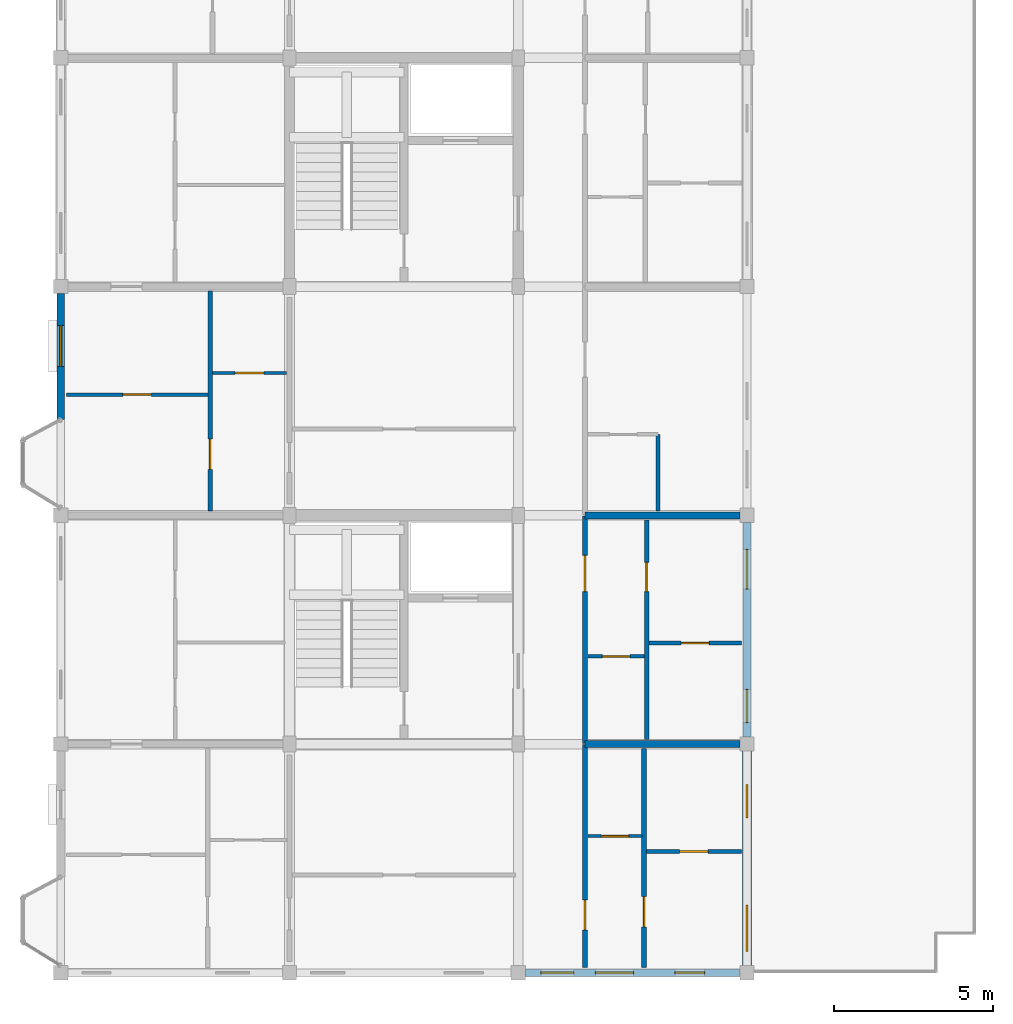
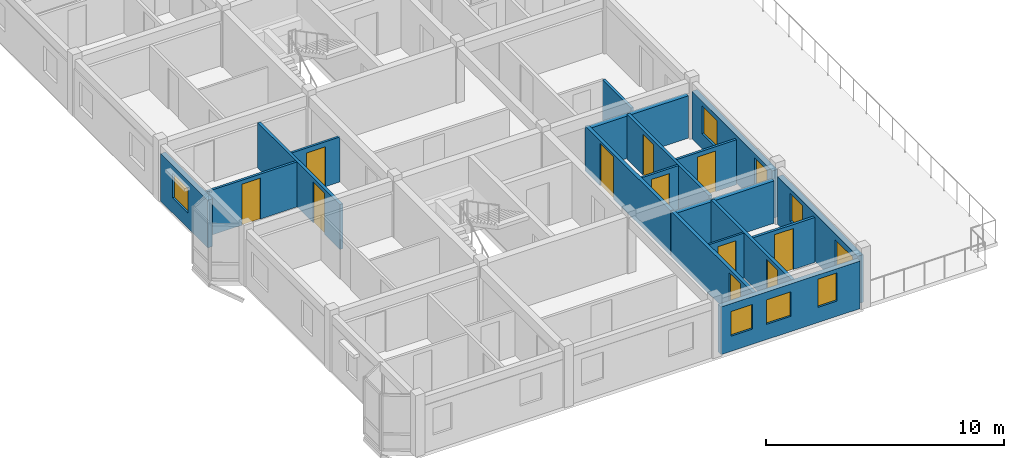
# One storey, part 27 of 40: 18 walls, 11 doors, 8 windows, 19 openings.
"""IFC4 building model written with IfcOpenShell, lengths in metres."""

from ifc_helpers import new_model, si_unit, direction, frame, frame_2d, origin, place, context, subcontext, project, spatial, rectangle, extrude, material, layer, layer_set, type_object, element, fill, save


model = new_model("IFC4")

# Units and contexts
model_context = context("Model", 3, precision=1e-05, world=origin(), true_north=direction((0.0, 1.0)))
body_context = subcontext(model_context, "Body", "Model", "MODEL_VIEW")
ifc_project = project(units=[si_unit("LENGTHUNIT", "METRE"), si_unit("AREAUNIT", "SQUARE_METRE"), si_unit("VOLUMEUNIT", "CUBIC_METRE"), si_unit("PLANEANGLEUNIT", "RADIAN"), si_unit("MASSUNIT", "GRAM", prefix="KILO"), si_unit("THERMODYNAMICTEMPERATUREUNIT", "KELVIN"), si_unit("POWERUNIT", "WATT")], contexts=[model_context])

# Site, building, storey
site_placement = place(None, origin())
site = spatial("IfcSite", under=ifc_project, at=site_placement, CompositionType="ELEMENT")
building_placement = place(site_placement, origin())
building = spatial("IfcBuilding", under=site, at=building_placement, Name="Tavuni Mirador Residences", CompositionType="ELEMENT")
storey_placement = place(building_placement, frame((0.0, 0.0, 36.0)))
storey = spatial("IfcBuildingStorey", under=building, at=storey_placement, Name="L11", CompositionType="ELEMENT", Elevation=36.0)

# Wall, opening, door
ifc_material_1 = material(Name="Precast concrete C40/50", Category="concrete")
ifc_layer_1 = layer(ifc_material_1, 0.1650390625, Name="Precast concrete C40/50", Category="concrete")
ifc_layer_set_1 = layer_set([ifc_layer_1], Name="Precast concrete C40/50")
wall_type_1 = type_object("IfcWallType", Name="WT-CORR165", PredefinedType="PARTITIONING", material=ifc_layer_set_1)
wall_1_placement = place(storey_placement, frame((20.10009765625, 7.375, 0.0), z_axis=(0.0, 0.0, 1.0), x_axis=(0.0, 1.0, 0.0)))
wall_1 = element("IfcWall", 1, at=wall_1_placement, inside=storey, type_object=wall_type_1, Name="CORW-BLK-A-L11-0-00", PredefinedType="PARTITIONING", context=body_context, shape_type="SweptSolid", body=[
    extrude(rectangle(XDim=7.0048828125, YDim=0.1650390625, at=frame_2d((3.50244140625, 0.0))), origin(), (0.0, 0.0, 1.0), 2.304931640625),
])
opening_1_placement = place(wall_1_placement, frame((1.175048828125, 0.0, 0.0)))
opening_1 = element("IfcOpeningElement", 2, at=opening_1_placement, cuts=wall_1, Name="Opening D-19", PredefinedType="OPENING", context=body_context, shape_type="SweptSolid", body=[
    extrude(rectangle(XDim=0.93994140625, YDim=2.1201171875, at=frame_2d((0.469970703125, 1.06005859375))), frame((0.0, 0.092529296875, 0.0), z_axis=(0.0, -1.0, 0.0), x_axis=(1.0, 0.0, 0.0)), (0.0, 0.0, 1.0), 0.18505859375),
])
ifc_material_2 = material(Name="Solid core iroko timber", Category="wood")
door_type_1 = type_object("IfcDoorType", Name="DT-FD60-940", OperationType="NOTDEFINED", PredefinedType="DOOR", material=ifc_material_2)
door_1_placement = place(opening_1_placement, origin())
door_1 = element("IfcDoor", 3, at=door_1_placement, inside=storey, type_object=door_type_1, Name="DR-2485", OperationType="SINGLE_SWING_RIGHT", OverallHeight=2.1201171875, OverallWidth=0.93994140625, PredefinedType="DOOR", context=body_context, shape_type="SweptSolid", body=[
    extrude(rectangle(XDim=0.93994140625, YDim=2.1201171875, at=frame_2d((0.469970703125, 1.06005859375))), frame((0.0, 0.02490234375, 0.0), z_axis=(0.0, -1.0, 0.0), x_axis=(1.0, 0.0, 0.0)), (0.0, 0.0, 1.0), 0.050048828125),
])
fill(opening_1, door_1)

wall_2_placement = place(storey_placement, frame((20.10009765625, 14.419921875, 0.0), z_axis=(0.0, 0.0, 1.0), x_axis=(0.0, 1.0, 0.0)))
wall_2 = element("IfcWall", 4, at=wall_2_placement, inside=storey, type_object=wall_type_1, Name="CORW-BLK-A-L11-0-01", PredefinedType="PARTITIONING", context=body_context, shape_type="SweptSolid", body=[
    extrude(rectangle(XDim=7.16015625, YDim=0.1650390625, at=frame_2d((3.580078125, 0.0))), origin(), (0.0, 0.0, 1.0), 2.304931640625),
])
opening_2_placement = place(wall_2_placement, frame((4.780029296875, 0.0, 0.0)))
opening_2 = element("IfcOpeningElement", 5, at=opening_2_placement, cuts=wall_2, Name="Opening D-20", PredefinedType="OPENING", context=body_context, shape_type="SweptSolid", body=[
    extrude(rectangle(XDim=1.139892578125, YDim=2.179931640625, at=frame_2d((0.56982421875, 1.08984375))), frame((0.0, 0.092529296875, 0.0), z_axis=(0.0, -1.0, 0.0), x_axis=(1.0, 0.0, 0.0)), (0.0, 0.0, 1.0), 0.18505859375),
])
door_type_2 = type_object("IfcDoorType", Name="DT-FD60-1140", OperationType="NOTDEFINED", PredefinedType="DOOR", material=ifc_material_2)
door_2_placement = place(opening_2_placement, origin())
door_2 = element("IfcDoor", 6, at=door_2_placement, inside=storey, type_object=door_type_2, Name="DR-2486", OperationType="SINGLE_SWING_LEFT", OverallHeight=2.179931640625, OverallWidth=1.139892578125, PredefinedType="DOOR", context=body_context, shape_type="SweptSolid", body=[
    extrude(rectangle(XDim=1.139892578125, YDim=2.179931640625, at=frame_2d((0.56982421875, 1.08984375))), frame((0.0, 0.02490234375, 0.0), z_axis=(0.0, -1.0, 0.0), x_axis=(1.0, 0.0, 0.0)), (0.0, 0.0, 1.0), 0.050048828125),
])
fill(opening_2, door_2)

# Wall, openings, windows
ifc_material_3 = material(Name="Sgraffito lime-rendered precast concrete C40/50", Category="concrete")
ifc_layer_2 = layer(ifc_material_3, 0.2451171875, Name="Sgraffito lime-rendered precast concrete C40/50", Category="concrete")
ifc_layer_set_2 = layer_set([ifc_layer_2], Name="Sgraffito lime-rendered precast concrete C40/50")
wall_type_2 = type_object("IfcWallType", Name="WT-EXT-PC245", PredefinedType="SOLIDWALL", material=ifc_layer_set_2)
wall_3_placement = place(storey_placement, frame((18.22509765625, 7.199951171875, 0.0), z_axis=(0.0, 0.0, 1.0), x_axis=(1.0, 0.0, 0.0)))
wall_3 = element("IfcWall", 7, at=wall_3_placement, inside=storey, type_object=wall_type_2, Name="EW-BLK-A-L11-S02", PredefinedType="SOLIDWALL", context=body_context, shape_type="SweptSolid", body=[
    extrude(rectangle(XDim=6.75, YDim=0.2451171875, at=frame_2d((3.375, 0.0))), origin(), (0.0, 0.0, 1.0), 2.43994140625),
])
opening_3_placement = place(wall_3_placement, frame((0.487548828125, 0.0, 0.780029296875)))
opening_3 = element("IfcOpeningElement", 8, at=opening_3_placement, cuts=wall_3, Name="Opening WN-11", PredefinedType="OPENING", context=body_context, shape_type="SweptSolid", body=[
    extrude(rectangle(XDim=1.0400390625, YDim=1.260009765625, at=frame_2d((0.52001953125, 0.6298828125))), frame((0.0, 0.132568359375, 0.0), z_axis=(0.0, -1.0, 0.0), x_axis=(1.0, 0.0, 0.0)), (0.0, 0.0, 1.0), 0.26513671875),
])
opening_4_placement = place(wall_3_placement, frame((2.205078125, 0.0, 0.780029296875)))
opening_4 = element("IfcOpeningElement", 9, at=opening_4_placement, cuts=wall_3, Name="Opening WN-13", PredefinedType="OPENING", context=body_context, shape_type="SweptSolid", body=[
    extrude(rectangle(XDim=1.199951171875, YDim=1.260009765625, at=frame_2d((0.60009765625, 0.6298828125))), frame((0.0, 0.132568359375, 0.0), z_axis=(0.0, -1.0, 0.0), x_axis=(1.0, 0.0, 0.0)), (0.0, 0.0, 1.0), 0.26513671875),
])
opening_5_placement = place(wall_3_placement, frame((4.702392578125, 0.0, 0.780029296875)))
opening_5 = element("IfcOpeningElement", 10, at=opening_5_placement, cuts=wall_3, Name="Opening WN-25", PredefinedType="OPENING", context=body_context, shape_type="SweptSolid", body=[
    extrude(rectangle(XDim=0.93994140625, YDim=1.43994140625, at=frame_2d((0.469970703125, 0.719970703125))), frame((0.0, 0.132568359375, 0.0), z_axis=(0.0, -1.0, 0.0), x_axis=(1.0, 0.0, 0.0)), (0.0, 0.0, 1.0), 0.26513671875),
])
ifc_material_4 = material(Name="Laminated solar-control glass", Category="glass")
window_type_1 = type_object("IfcWindowType", Name="WNT-11", PartitioningType="SINGLE_PANEL", PredefinedType="WINDOW", material=ifc_material_4)
window_1_placement = place(opening_3_placement, origin())
window_1 = element("IfcWindow", 11, at=window_1_placement, inside=storey, type_object=window_type_1, Name="WIN-0399", OverallHeight=1.260009765625, OverallWidth=1.0400390625, PartitioningType="SINGLE_PANEL", PredefinedType="WINDOW", context=body_context, shape_type="SweptSolid", body=[
    extrude(rectangle(XDim=1.0400390625, YDim=1.260009765625, at=frame_2d((0.52001953125, 0.6298828125))), frame((0.0, 0.030029296875, 0.0), z_axis=(0.0, -1.0, 0.0), x_axis=(1.0, 0.0, 0.0)), (0.0, 0.0, 1.0), 0.06005859375),
])
fill(opening_3, window_1)
window_type_2 = type_object("IfcWindowType", Name="WNT-13", PartitioningType="SINGLE_PANEL", PredefinedType="WINDOW", material=ifc_material_4)
window_2_placement = place(opening_4_placement, origin())
window_2 = element("IfcWindow", 12, at=window_2_placement, inside=storey, type_object=window_type_2, Name="WIN-0400", OverallHeight=1.260009765625, OverallWidth=1.199951171875, PartitioningType="SINGLE_PANEL", PredefinedType="WINDOW", context=body_context, shape_type="SweptSolid", body=[
    extrude(rectangle(XDim=1.199951171875, YDim=1.260009765625, at=frame_2d((0.60009765625, 0.6298828125))), frame((0.0, 0.030029296875, 0.0), z_axis=(0.0, -1.0, 0.0), x_axis=(1.0, 0.0, 0.0)), (0.0, 0.0, 1.0), 0.06005859375),
])
fill(opening_4, window_2)
window_type_3 = type_object("IfcWindowType", Name="WNT-25", PartitioningType="SINGLE_PANEL", PredefinedType="WINDOW", material=ifc_material_4)
window_3_placement = place(opening_5_placement, origin())
window_3 = element("IfcWindow", 13, at=window_3_placement, inside=storey, type_object=window_type_3, Name="WIN-0401", OverallHeight=1.43994140625, OverallWidth=0.93994140625, PartitioningType="SINGLE_PANEL", PredefinedType="WINDOW", context=body_context, shape_type="SweptSolid", body=[
    extrude(rectangle(XDim=0.93994140625, YDim=1.43994140625, at=frame_2d((0.469970703125, 0.719970703125))), frame((0.0, 0.030029296875, 0.0), z_axis=(0.0, -1.0, 0.0), x_axis=(1.0, 0.0, 0.0)), (0.0, 0.0, 1.0), 0.06005859375),
])
fill(opening_5, window_3)

# Wall, opening, window
wall_4_placement = place(storey_placement, frame((3.60009765625, 28.574951171875, 0.0), z_axis=(0.0, 0.0, 1.0), x_axis=(0.0, -1.0, 0.0)))
wall_4 = element("IfcWall", 14, at=wall_4_placement, inside=storey, type_object=wall_type_2, Name="EW-BLK-A-L11-W02", PredefinedType="SOLIDWALL", context=body_context, shape_type="SweptSolid", body=[
    extrude(rectangle(XDim=3.954833984375, YDim=0.2451171875, at=frame_2d((1.9775390625, 0.0))), origin(), (0.0, 0.0, 1.0), 2.43994140625),
])
opening_6_placement = place(wall_4_placement, frame((1.00244140625, 0.0, 0.780029296875)))
opening_6 = element("IfcOpeningElement", 15, at=opening_6_placement, cuts=wall_4, Name="Opening WN-14", PredefinedType="OPENING", context=body_context, shape_type="SweptSolid", body=[
    extrude(rectangle(XDim=1.280029296875, YDim=1.260009765625, at=frame_2d((0.64013671875, 0.6298828125))), frame((0.0, 0.132568359375, 0.0), z_axis=(0.0, -1.0, 0.0), x_axis=(1.0, 0.0, 0.0)), (0.0, 0.0, 1.0), 0.26513671875),
])
window_type_4 = type_object("IfcWindowType", Name="WNT-14", PartitioningType="SINGLE_PANEL", PredefinedType="WINDOW", material=ifc_material_4)
window_4_placement = place(opening_6_placement, origin())
window_4 = element("IfcWindow", 16, at=window_4_placement, inside=storey, type_object=window_type_4, Name="WIN-0422", OverallHeight=1.260009765625, OverallWidth=1.280029296875, PartitioningType="SINGLE_PANEL", PredefinedType="WINDOW", context=body_context, shape_type="SweptSolid", body=[
    extrude(rectangle(XDim=1.280029296875, YDim=1.260009765625, at=frame_2d((0.64013671875, 0.6298828125))), frame((0.0, 0.030029296875, 0.0), z_axis=(0.0, -1.0, 0.0), x_axis=(1.0, 0.0, 0.0)), (0.0, 0.0, 1.0), 0.06005859375),
])
fill(opening_6, window_4)

# Wall, openings, windows
ifc_layer_3 = layer(ifc_material_3, 0.2548828125, Name="Sgraffito lime-rendered precast concrete C40/50", Category="concrete")
ifc_layer_set_3 = layer_set([ifc_layer_3], Name="Sgraffito lime-rendered precast concrete C40/50")
wall_type_3 = type_object("IfcWallType", Name="WT-EXT-PC255", PredefinedType="SOLIDWALL", material=ifc_layer_set_3)
wall_5_placement = place(storey_placement, frame((25.199951171875, 14.625, 0.0), z_axis=(0.0, 0.0, 1.0), x_axis=(0.0, 1.0, 0.0)))
wall_5 = element("IfcWall", 17, at=wall_5_placement, inside=storey, type_object=wall_type_3, Name="EW-BLK-A-L11-E01", PredefinedType="SOLIDWALL", context=body_context, shape_type="SweptSolid", body=[
    extrude(rectangle(XDim=6.75, YDim=0.2548828125, at=frame_2d((3.375, 0.0))), origin(), (0.0, 0.0, 1.0), 2.43994140625),
])
opening_7_placement = place(wall_5_placement, frame((0.449951171875, 0.0, 0.780029296875)))
opening_7 = element("IfcOpeningElement", 18, at=opening_7_placement, cuts=wall_5, Name="Opening WN-26", PredefinedType="OPENING", context=body_context, shape_type="SweptSolid", body=[
    extrude(rectangle(XDim=1.050048828125, YDim=1.43994140625, at=frame_2d((0.52490234375, 0.719970703125))), frame((0.0, 0.137451171875, 0.0), z_axis=(0.0, -1.0, 0.0), x_axis=(1.0, 0.0, 0.0)), (0.0, 0.0, 1.0), 0.27490234375),
])
opening_8_placement = place(wall_5_placement, frame((4.64990234375, 0.0, 0.780029296875)))
opening_8 = element("IfcOpeningElement", 19, at=opening_8_placement, cuts=wall_5, Name="Opening WN-28", PredefinedType="OPENING", context=body_context, shape_type="SweptSolid", body=[
    extrude(rectangle(XDim=1.25, YDim=1.43994140625, at=frame_2d((0.625, 0.719970703125))), frame((0.0, 0.137451171875, 0.0), z_axis=(0.0, -1.0, 0.0), x_axis=(1.0, 0.0, 0.0)), (0.0, 0.0, 1.0), 0.27490234375),
])
window_type_5 = type_object("IfcWindowType", Name="WNT-26", PartitioningType="SINGLE_PANEL", PredefinedType="WINDOW", material=ifc_material_4)
window_5_placement = place(opening_7_placement, origin())
window_5 = element("IfcWindow", 20, at=window_5_placement, inside=storey, type_object=window_type_5, Name="WIN-0404", OverallHeight=1.43994140625, OverallWidth=1.050048828125, PartitioningType="SINGLE_PANEL", PredefinedType="WINDOW", context=body_context, shape_type="SweptSolid", body=[
    extrude(rectangle(XDim=1.050048828125, YDim=1.43994140625, at=frame_2d((0.52490234375, 0.719970703125))), frame((0.0, 0.030029296875, 0.0), z_axis=(0.0, -1.0, 0.0), x_axis=(1.0, 0.0, 0.0)), (0.0, 0.0, 1.0), 0.06005859375),
])
fill(opening_7, window_5)
window_type_6 = type_object("IfcWindowType", Name="WNT-28", PartitioningType="SINGLE_PANEL", PredefinedType="WINDOW", material=ifc_material_4)
window_6_placement = place(opening_8_placement, origin())
window_6 = element("IfcWindow", 21, at=window_6_placement, inside=storey, type_object=window_type_6, Name="WIN-0405", OverallHeight=1.43994140625, OverallWidth=1.25, PartitioningType="SINGLE_PANEL", PredefinedType="WINDOW", context=body_context, shape_type="SweptSolid", body=[
    extrude(rectangle(XDim=1.25, YDim=1.43994140625, at=frame_2d((0.625, 0.719970703125))), frame((0.0, 0.030029296875, 0.0), z_axis=(0.0, -1.0, 0.0), x_axis=(1.0, 0.0, 0.0)), (0.0, 0.0, 1.0), 0.06005859375),
])
fill(opening_8, window_6)

ifc_layer_4 = layer(ifc_material_3, 0.27490234375, Name="Sgraffito lime-rendered precast concrete C40/50", Category="concrete")
ifc_layer_set_4 = layer_set([ifc_layer_4], Name="Sgraffito lime-rendered precast concrete C40/50")
wall_type_4 = type_object("IfcWallType", Name="WT-EXT-PC275", PredefinedType="SOLIDWALL", material=ifc_layer_set_4)
wall_6_placement = place(storey_placement, frame((25.199951171875, 7.425048828125, 0.0), z_axis=(0.0, 0.0, 1.0), x_axis=(0.0, 1.0, 0.0)))
wall_6 = element("IfcWall", 22, at=wall_6_placement, inside=storey, type_object=wall_type_4, Name="EW-BLK-A-L11-E00", PredefinedType="SOLIDWALL", context=body_context, shape_type="SweptSolid", body=[
    extrude(rectangle(XDim=6.75, YDim=0.27490234375, at=frame_2d((3.375, 0.0))), origin(), (0.0, 0.0, 1.0), 2.43994140625),
])
opening_9_placement = place(wall_6_placement, frame((0.449951171875, 0.0, 0.780029296875)))
opening_9 = element("IfcOpeningElement", 23, at=opening_9_placement, cuts=wall_6, Name="Opening WN-24", PredefinedType="OPENING", context=body_context, shape_type="SweptSolid", body=[
    extrude(rectangle(XDim=1.4599609375, YDim=1.360107421875, at=frame_2d((0.72998046875, 0.68017578125))), frame((0.0, 0.1474609375, 0.0), z_axis=(0.0, -1.0, 0.0), x_axis=(1.0, 0.0, 0.0)), (0.0, 0.0, 1.0), 0.294921875),
])
opening_10_placement = place(wall_6_placement, frame((4.64990234375, 0.0, 0.780029296875)))
opening_10 = element("IfcOpeningElement", 24, at=opening_10_placement, cuts=wall_6, Name="Opening WN-26", PredefinedType="OPENING", context=body_context, shape_type="SweptSolid", body=[
    extrude(rectangle(XDim=1.050048828125, YDim=1.43994140625, at=frame_2d((0.52490234375, 0.719970703125))), frame((0.0, 0.1474609375, 0.0), z_axis=(0.0, -1.0, 0.0), x_axis=(1.0, 0.0, 0.0)), (0.0, 0.0, 1.0), 0.294921875),
])
window_type_7 = type_object("IfcWindowType", Name="WNT-24", PartitioningType="SINGLE_PANEL", PredefinedType="WINDOW", material=ifc_material_4)
window_7_placement = place(opening_9_placement, origin())
window_7 = element("IfcWindow", 25, at=window_7_placement, inside=storey, type_object=window_type_7, Name="WIN-0402", OverallHeight=1.360107421875, OverallWidth=1.4599609375, PartitioningType="SINGLE_PANEL", PredefinedType="WINDOW", context=body_context, shape_type="SweptSolid", body=[
    extrude(rectangle(XDim=1.4599609375, YDim=1.360107421875, at=frame_2d((0.72998046875, 0.68017578125))), frame((0.0, 0.030029296875, 0.0), z_axis=(0.0, -1.0, 0.0), x_axis=(1.0, 0.0, 0.0)), (0.0, 0.0, 1.0), 0.06005859375),
])
fill(opening_9, window_7)
window_8_placement = place(opening_10_placement, origin())
window_8 = element("IfcWindow", 26, at=window_8_placement, inside=storey, type_object=window_type_5, Name="WIN-0403", OverallHeight=1.43994140625, OverallWidth=1.050048828125, PartitioningType="SINGLE_PANEL", PredefinedType="WINDOW", context=body_context, shape_type="SweptSolid", body=[
    extrude(rectangle(XDim=1.050048828125, YDim=1.43994140625, at=frame_2d((0.52490234375, 0.719970703125))), frame((0.0, 0.030029296875, 0.0), z_axis=(0.0, -1.0, 0.0), x_axis=(1.0, 0.0, 0.0)), (0.0, 0.0, 1.0), 0.06005859375),
])
fill(opening_10, window_8)

# Wall, opening, door
ifc_material_5 = material(Name="Acoustic gypsum and concrete block partition", Category="concrete")
ifc_layer_5 = layer(ifc_material_5, 0.094970703125, Name="Acoustic gypsum and concrete block partition", Category="concrete")
ifc_layer_set_5 = layer_set([ifc_layer_5], Name="Acoustic gypsum and concrete block partition")
wall_type_5 = type_object("IfcWallType", Name="WT-PART095", PredefinedType="PARTITIONING", material=ifc_layer_set_5)
wall_7_placement = place(storey_placement, frame((20.18994140625, 11.5, 0.0), z_axis=(0.0, 0.0, 1.0), x_axis=(1.0, 0.0, 0.0)))
wall_7 = element("IfcWall", 27, at=wall_7_placement, inside=storey, type_object=wall_type_5, Name="PW-BLK-A-L11-E00-IN1", PredefinedType="PARTITIONING", context=body_context, shape_type="SweptSolid", body=[
    extrude(rectangle(XDim=1.699951171875, YDim=0.094970703125, at=frame_2d((0.85009765625, 0.0))), origin(), (0.0, 0.0, 1.0), 2.304931640625),
])
opening_11_placement = place(wall_7_placement, frame((0.4150390625, 0.0, 0.0)))
opening_11 = element("IfcOpeningElement", 28, at=opening_11_placement, cuts=wall_7, Name="Opening D-10", PredefinedType="OPENING", context=body_context, shape_type="SweptSolid", body=[
    extrude(rectangle(XDim=0.8701171875, YDim=2.050048828125, at=frame_2d((0.43505859375, 1.02490234375))), frame((0.0, 0.0576171875, 0.0), z_axis=(0.0, -1.0, 0.0), x_axis=(1.0, 0.0, 0.0)), (0.0, 0.0, 1.0), 0.114990234375),
])
door_type_3 = type_object("IfcDoorType", Name="DT-WC870", OperationType="NOTDEFINED", PredefinedType="DOOR", material=ifc_material_2)
door_3_placement = place(opening_11_placement, origin())
door_3 = element("IfcDoor", 29, at=door_3_placement, inside=storey, type_object=door_type_3, Name="DR-3292", OperationType="SINGLE_SWING_RIGHT", OverallHeight=2.050048828125, OverallWidth=0.8701171875, PredefinedType="DOOR", context=body_context, shape_type="SweptSolid", body=[
    extrude(rectangle(XDim=0.8701171875, YDim=2.050048828125, at=frame_2d((0.43505859375, 1.02490234375))), frame((0.0, 0.02490234375, 0.0), z_axis=(0.0, -1.0, 0.0), x_axis=(1.0, 0.0, 0.0)), (0.0, 0.0, 1.0), 0.050048828125),
])
fill(opening_11, door_3)

ifc_layer_6 = layer(ifc_material_5, 0.10498046875, Name="Acoustic gypsum and concrete block partition", Category="concrete")
ifc_layer_set_6 = layer_set([ifc_layer_6], Name="Acoustic gypsum and concrete block partition")
wall_type_6 = type_object("IfcWallType", Name="WT-PART105", PredefinedType="PARTITIONING", material=ifc_layer_set_6)
wall_8_placement = place(storey_placement, frame((20.18994140625, 17.159912109375, 0.0), z_axis=(0.0, 0.0, 1.0), x_axis=(1.0, 0.0, 0.0)))
wall_8 = element("IfcWall", 30, at=wall_8_placement, inside=storey, type_object=wall_type_6, Name="PW-BLK-A-L11-E01-IN1", PredefinedType="PARTITIONING", context=body_context, shape_type="SweptSolid", body=[
    extrude(rectangle(XDim=1.780029296875, YDim=0.10498046875, at=frame_2d((0.89013671875, 0.0))), origin(), (0.0, 0.0, 1.0), 2.304931640625),
])
opening_12_placement = place(wall_8_placement, frame((0.455078125, 0.0, 0.0)))
opening_12 = element("IfcOpeningElement", 31, at=opening_12_placement, cuts=wall_8, Name="Opening D-10", PredefinedType="OPENING", context=body_context, shape_type="SweptSolid", body=[
    extrude(rectangle(XDim=0.8701171875, YDim=2.050048828125, at=frame_2d((0.43505859375, 1.02490234375))), frame((0.0, 0.0625, 0.0), z_axis=(0.0, -1.0, 0.0), x_axis=(1.0, 0.0, 0.0)), (0.0, 0.0, 1.0), 0.125),
])
door_4_placement = place(opening_12_placement, origin())
door_4 = element("IfcDoor", 32, at=door_4_placement, inside=storey, type_object=door_type_3, Name="DR-3297", OperationType="SINGLE_SWING_LEFT", OverallHeight=2.050048828125, OverallWidth=0.8701171875, PredefinedType="DOOR", context=body_context, shape_type="SweptSolid", body=[
    extrude(rectangle(XDim=0.8701171875, YDim=2.050048828125, at=frame_2d((0.43505859375, 1.02490234375))), frame((0.0, 0.02490234375, 0.0), z_axis=(0.0, -1.0, 0.0), x_axis=(1.0, 0.0, 0.0)), (0.0, 0.0, 1.0), 0.050048828125),
])
fill(opening_12, door_4)

wall_9_placement = place(storey_placement, frame((8.3701171875, 26.080078125, 0.0), z_axis=(0.0, 0.0, 1.0), x_axis=(1.0, 0.0, 0.0)))
wall_9 = element("IfcWall", 33, at=wall_9_placement, inside=storey, type_object=wall_type_6, Name="PW-BLK-A-L11-W02-IN1", PredefinedType="PARTITIONING", context=body_context, shape_type="SweptSolid", body=[
    extrude(rectangle(XDim=2.33984375, YDim=0.10498046875, at=frame_2d((1.169921875, 0.0))), origin(), (0.0, 0.0, 1.0), 2.304931640625),
])
opening_13_placement = place(wall_9_placement, frame((0.719970703125, 0.0, 0.0)))
opening_13 = element("IfcOpeningElement", 34, at=opening_13_placement, cuts=wall_9, Name="Opening D-09", PredefinedType="OPENING", context=body_context, shape_type="SweptSolid", body=[
    extrude(rectangle(XDim=0.89990234375, YDim=2.050048828125, at=frame_2d((0.449951171875, 1.02490234375))), frame((0.0, 0.0625, 0.0), z_axis=(0.0, -1.0, 0.0), x_axis=(1.0, 0.0, 0.0)), (0.0, 0.0, 1.0), 0.125),
])
door_type_4 = type_object("IfcDoorType", Name="DT-WC900", OperationType="NOTDEFINED", PredefinedType="DOOR", material=ifc_material_2)
door_5_placement = place(opening_13_placement, origin())
door_5 = element("IfcDoor", 35, at=door_5_placement, inside=storey, type_object=door_type_4, Name="DR-3301", OperationType="SINGLE_SWING_RIGHT", OverallHeight=2.050048828125, OverallWidth=0.89990234375, PredefinedType="DOOR", context=body_context, shape_type="SweptSolid", body=[
    extrude(rectangle(XDim=0.89990234375, YDim=2.050048828125, at=frame_2d((0.449951171875, 1.02490234375))), frame((0.0, 0.02490234375, 0.0), z_axis=(0.0, -1.0, 0.0), x_axis=(1.0, 0.0, 0.0)), (0.0, 0.0, 1.0), 0.050048828125),
])
fill(opening_13, door_5)

ifc_layer_7 = layer(ifc_material_5, 0.114990234375, Name="Acoustic gypsum and concrete block partition", Category="concrete")
ifc_layer_set_7 = layer_set([ifc_layer_7], Name="Acoustic gypsum and concrete block partition")
wall_type_7 = type_object("IfcWallType", Name="WT-PART115", PredefinedType="PARTITIONING", material=ifc_layer_set_7)
wall_10_placement = place(storey_placement, frame((22.110107421875, 17.580078125, 0.0), z_axis=(0.0, 0.0, 1.0), x_axis=(1.0, 0.0, 0.0)))
wall_10 = element("IfcWall", 36, at=wall_10_placement, inside=storey, type_object=wall_type_7, Name="PW-BLK-A-L11-E01-OUT", PredefinedType="PARTITIONING", context=body_context, shape_type="SweptSolid", body=[
    extrude(rectangle(XDim=2.914794921875, YDim=0.114990234375, at=frame_2d((1.45751953125, 0.0))), origin(), (0.0, 0.0, 1.0), 2.304931640625),
])
opening_14_placement = place(wall_10_placement, frame((1.017578125, 0.0, 0.0)))
opening_14 = element("IfcOpeningElement", 37, at=opening_14_placement, cuts=wall_10, Name="Opening D-08", PredefinedType="OPENING", context=body_context, shape_type="SweptSolid", body=[
    extrude(rectangle(XDim=0.8798828125, YDim=2.080078125, at=frame_2d((0.43994140625, 1.0400390625))), frame((0.0, 0.0673828125, 0.0), z_axis=(0.0, -1.0, 0.0), x_axis=(1.0, 0.0, 0.0)), (0.0, 0.0, 1.0), 0.135009765625),
])
door_type_5 = type_object("IfcDoorType", Name="DT-BED880", OperationType="NOTDEFINED", PredefinedType="DOOR", material=ifc_material_2)
door_6_placement = place(opening_14_placement, origin())
door_6 = element("IfcDoor", 38, at=door_6_placement, inside=storey, type_object=door_type_5, Name="DR-3296", OperationType="SINGLE_SWING_RIGHT", OverallHeight=2.080078125, OverallWidth=0.8798828125, PredefinedType="DOOR", context=body_context, shape_type="SweptSolid", body=[
    extrude(rectangle(XDim=0.8798828125, YDim=2.080078125, at=frame_2d((0.43994140625, 1.0400390625))), frame((0.0, 0.02490234375, 0.0), z_axis=(0.0, -1.0, 0.0), x_axis=(1.0, 0.0, 0.0)), (0.0, 0.0, 1.0), 0.050048828125),
])
fill(opening_14, door_6)

wall_11_placement = place(storey_placement, frame((3.77490234375, 25.39990234375, 0.0), z_axis=(0.0, 0.0, 1.0), x_axis=(1.0, 0.0, 0.0)))
wall_11 = element("IfcWall", 39, at=wall_11_placement, inside=storey, type_object=wall_type_7, Name="PW-BLK-A-L11-W02-OUT", PredefinedType="PARTITIONING", context=body_context, shape_type="SweptSolid", body=[
    extrude(rectangle(XDim=4.455078125, YDim=0.114990234375, at=frame_2d((2.2275390625, 0.0))), origin(), (0.0, 0.0, 1.0), 2.304931640625),
])
opening_15_placement = place(wall_11_placement, frame((1.777587890625, 0.0, 0.0)))
opening_15 = element("IfcOpeningElement", 40, at=opening_15_placement, cuts=wall_11, Name="Opening D-07", PredefinedType="OPENING", context=body_context, shape_type="SweptSolid", body=[
    extrude(rectangle(XDim=0.89990234375, YDim=2.10009765625, at=frame_2d((0.449951171875, 1.050048828125))), frame((0.0, 0.0673828125, 0.0), z_axis=(0.0, -1.0, 0.0), x_axis=(1.0, 0.0, 0.0)), (0.0, 0.0, 1.0), 0.135009765625),
])
door_type_6 = type_object("IfcDoorType", Name="DT-BED900", OperationType="NOTDEFINED", PredefinedType="DOOR", material=ifc_material_2)
door_7_placement = place(opening_15_placement, origin())
door_7 = element("IfcDoor", 41, at=door_7_placement, inside=storey, type_object=door_type_6, Name="DR-3300", OperationType="SINGLE_SWING_LEFT", OverallHeight=2.10009765625, OverallWidth=0.89990234375, PredefinedType="DOOR", context=body_context, shape_type="SweptSolid", body=[
    extrude(rectangle(XDim=0.89990234375, YDim=2.10009765625, at=frame_2d((0.449951171875, 1.050048828125))), frame((0.0, 0.02490234375, 0.0), z_axis=(0.0, -1.0, 0.0), x_axis=(1.0, 0.0, 0.0)), (0.0, 0.0, 1.0), 0.050048828125),
])
fill(opening_15, door_7)

ifc_layer_8 = layer(ifc_material_5, 0.125, Name="Acoustic gypsum and concrete block partition", Category="concrete")
ifc_layer_set_8 = layer_set([ifc_layer_8], Name="Acoustic gypsum and concrete block partition")
wall_type_8 = type_object("IfcWallType", Name="WT-PART125", PredefinedType="PARTITIONING", material=ifc_layer_set_8)
wall_12_placement = place(storey_placement, frame((22.030029296875, 11.02001953125, 0.0), z_axis=(0.0, 0.0, 1.0), x_axis=(1.0, 0.0, 0.0)))
wall_12 = element("IfcWall", 42, at=wall_12_placement, inside=storey, type_object=wall_type_8, Name="PW-BLK-A-L11-E00-OUT", PredefinedType="PARTITIONING", context=body_context, shape_type="SweptSolid", body=[
    extrude(rectangle(XDim=2.994873046875, YDim=0.125, at=frame_2d((1.49755859375, 0.0))), origin(), (0.0, 0.0, 1.0), 2.304931640625),
])
opening_16_placement = place(wall_12_placement, frame((1.047607421875, 0.0, 0.0)))
opening_16 = element("IfcOpeningElement", 43, at=opening_16_placement, cuts=wall_12, Name="Opening D-07", PredefinedType="OPENING", context=body_context, shape_type="SweptSolid", body=[
    extrude(rectangle(XDim=0.89990234375, YDim=2.10009765625, at=frame_2d((0.449951171875, 1.050048828125))), frame((0.0, 0.072509765625, 0.0), z_axis=(0.0, -1.0, 0.0), x_axis=(1.0, 0.0, 0.0)), (0.0, 0.0, 1.0), 0.14501953125),
])
door_8_placement = place(opening_16_placement, origin())
door_8 = element("IfcDoor", 44, at=door_8_placement, inside=storey, type_object=door_type_6, Name="DR-3291", OperationType="SINGLE_SWING_LEFT", OverallHeight=2.10009765625, OverallWidth=0.89990234375, PredefinedType="DOOR", context=body_context, shape_type="SweptSolid", body=[
    extrude(rectangle(XDim=0.89990234375, YDim=2.10009765625, at=frame_2d((0.449951171875, 1.050048828125))), frame((0.0, 0.02490234375, 0.0), z_axis=(0.0, -1.0, 0.0), x_axis=(1.0, 0.0, 0.0)), (0.0, 0.0, 1.0), 0.050048828125),
])
fill(opening_16, door_8)

# Wall
wall_13_placement = place(storey_placement, frame((22.39990234375, 21.739990234375, 0.0), z_axis=(0.0, 0.0, 1.0), x_axis=(0.0, 1.0, 0.0)))
element("IfcWall", 45, at=wall_13_placement, inside=storey, type_object=wall_type_8, Name="PW-BLK-A-L11-E02-1", PredefinedType="PARTITIONING", context=body_context, shape_type="SweptSolid", body=[
    extrude(rectangle(XDim=2.409912109375, YDim=0.125, at=frame_2d((1.205078125, 0.0))), origin(), (0.0, 0.0, 1.0), 2.304931640625),
])

# Wall, opening, door
ifc_layer_9 = layer(ifc_material_5, 0.139892578125, Name="Acoustic gypsum and concrete block partition", Category="concrete")
ifc_layer_set_9 = layer_set([ifc_layer_9], Name="Acoustic gypsum and concrete block partition")
wall_type_9 = type_object("IfcWallType", Name="WT-PART140", PredefinedType="PARTITIONING", material=ifc_layer_set_9)
wall_14_placement = place(storey_placement, frame((22.0400390625, 14.5400390625, 0.0), z_axis=(0.0, 0.0, 1.0), x_axis=(0.0, 1.0, 0.0)))
wall_14 = element("IfcWall", 46, at=wall_14_placement, inside=storey, type_object=wall_type_9, Name="PW-BLK-A-L11-E01-MID", PredefinedType="PARTITIONING", context=body_context, shape_type="SweptSolid", body=[
    extrude(rectangle(XDim=6.919921875, YDim=0.139892578125, at=frame_2d((3.4599609375, 0.0))), origin(), (0.0, 0.0, 1.0), 2.304931640625),
])
opening_17_placement = place(wall_14_placement, frame((4.659912109375, 0.0, 0.0)))
opening_17 = element("IfcOpeningElement", 47, at=opening_17_placement, cuts=wall_14, Name="Opening D-06", PredefinedType="OPENING", context=body_context, shape_type="SweptSolid", body=[
    extrude(rectangle(XDim=0.919921875, YDim=2.10009765625, at=frame_2d((0.4599609375, 1.050048828125))), frame((0.0, 0.080078125, 0.0), z_axis=(0.0, -1.0, 0.0), x_axis=(1.0, 0.0, 0.0)), (0.0, 0.0, 1.0), 0.159912109375),
])
door_type_7 = type_object("IfcDoorType", Name="DT-INT920", OperationType="NOTDEFINED", PredefinedType="DOOR", material=ifc_material_2)
door_9_placement = place(opening_17_placement, origin())
door_9 = element("IfcDoor", 48, at=door_9_placement, inside=storey, type_object=door_type_7, Name="DR-3298", OperationType="SINGLE_SWING_RIGHT", OverallHeight=2.10009765625, OverallWidth=0.919921875, PredefinedType="DOOR", context=body_context, shape_type="SweptSolid", body=[
    extrude(rectangle(XDim=0.919921875, YDim=2.10009765625, at=frame_2d((0.4599609375, 1.050048828125))), frame((0.0, 0.02490234375, 0.0), z_axis=(0.0, -1.0, 0.0), x_axis=(1.0, 0.0, 0.0)), (0.0, 0.0, 1.0), 0.050048828125),
])
fill(opening_17, door_9)

wall_15_placement = place(storey_placement, frame((8.300048828125, 21.739990234375, 0.0), z_axis=(0.0, 0.0, 1.0), x_axis=(0.0, 1.0, 0.0)))
wall_15 = element("IfcWall", 49, at=wall_15_placement, inside=storey, type_object=wall_type_9, Name="PW-BLK-A-L11-W02-MID", PredefinedType="PARTITIONING", context=body_context, shape_type="SweptSolid", body=[
    extrude(rectangle(XDim=6.919921875, YDim=0.139892578125, at=frame_2d((3.4599609375, 0.0))), origin(), (0.0, 0.0, 1.0), 2.304931640625),
])
opening_18_placement = place(wall_15_placement, frame((1.31005859375, 0.0, 0.0)))
opening_18 = element("IfcOpeningElement", 50, at=opening_18_placement, cuts=wall_15, Name="Opening D-05", PredefinedType="OPENING", context=body_context, shape_type="SweptSolid", body=[
    extrude(rectangle(XDim=0.949951171875, YDim=2.10009765625, at=frame_2d((0.47509765625, 1.050048828125))), frame((0.0, 0.080078125, 0.0), z_axis=(0.0, -1.0, 0.0), x_axis=(1.0, 0.0, 0.0)), (0.0, 0.0, 1.0), 0.159912109375),
])
door_type_8 = type_object("IfcDoorType", Name="DT-INT950", OperationType="NOTDEFINED", PredefinedType="DOOR", material=ifc_material_2)
door_10_placement = place(opening_18_placement, origin())
door_10 = element("IfcDoor", 51, at=door_10_placement, inside=storey, type_object=door_type_8, Name="DR-3302", OperationType="SINGLE_SWING_LEFT", OverallHeight=2.10009765625, OverallWidth=0.949951171875, PredefinedType="DOOR", context=body_context, shape_type="SweptSolid", body=[
    extrude(rectangle(XDim=0.949951171875, YDim=2.10009765625, at=frame_2d((0.47509765625, 1.050048828125))), frame((0.0, 0.02490234375, 0.0), z_axis=(0.0, -1.0, 0.0), x_axis=(1.0, 0.0, 0.0)), (0.0, 0.0, 1.0), 0.050048828125),
])
fill(opening_18, door_10)

ifc_layer_10 = layer(ifc_material_5, 0.14990234375, Name="Acoustic gypsum and concrete block partition", Category="concrete")
ifc_layer_set_10 = layer_set([ifc_layer_10], Name="Acoustic gypsum and concrete block partition")
wall_type_10 = type_object("IfcWallType", Name="WT-PART150", PredefinedType="PARTITIONING", material=ifc_layer_set_10)
wall_16_placement = place(storey_placement, frame((21.9599609375, 7.375, 0.0), z_axis=(0.0, 0.0, 1.0), x_axis=(0.0, 1.0, 0.0)))
wall_16 = element("IfcWall", 52, at=wall_16_placement, inside=storey, type_object=wall_type_10, Name="PW-BLK-A-L11-E00-MID", PredefinedType="PARTITIONING", context=body_context, shape_type="SweptSolid", body=[
    extrude(rectangle(XDim=6.885009765625, YDim=0.14990234375, at=frame_2d((3.4423828125, 0.0))), origin(), (0.0, 0.0, 1.0), 2.304931640625),
])
opening_19_placement = place(wall_16_placement, frame((1.27490234375, 0.0, 0.0)))
opening_19 = element("IfcOpeningElement", 53, at=opening_19_placement, cuts=wall_16, Name="Opening D-05", PredefinedType="OPENING", context=body_context, shape_type="SweptSolid", body=[
    extrude(rectangle(XDim=0.949951171875, YDim=2.10009765625, at=frame_2d((0.47509765625, 1.050048828125))), frame((0.0, 0.0849609375, 0.0), z_axis=(0.0, -1.0, 0.0), x_axis=(1.0, 0.0, 0.0)), (0.0, 0.0, 1.0), 0.169921875),
])
door_11_placement = place(opening_19_placement, origin())
door_11 = element("IfcDoor", 54, at=door_11_placement, inside=storey, type_object=door_type_8, Name="DR-3293", OperationType="SINGLE_SWING_LEFT", OverallHeight=2.10009765625, OverallWidth=0.949951171875, PredefinedType="DOOR", context=body_context, shape_type="SweptSolid", body=[
    extrude(rectangle(XDim=0.949951171875, YDim=2.10009765625, at=frame_2d((0.47509765625, 1.050048828125))), frame((0.0, 0.02490234375, 0.0), z_axis=(0.0, -1.0, 0.0), x_axis=(1.0, 0.0, 0.0)), (0.0, 0.0, 1.0), 0.050048828125),
])
fill(opening_19, door_11)

# Walls
ifc_layer_11 = layer(ifc_material_1, 0.215087890625, Name="Precast concrete C40/50", Category="concrete")
ifc_layer_set_11 = layer_set([ifc_layer_11], Name="Precast concrete C40/50")
wall_type_11 = type_object("IfcWallType", Name="WT-XW215", PredefinedType="SOLIDWALL", material=ifc_layer_set_11)
for number, where, z_axis, x_axis, name in (
    (55, (20.10009765625, 14.39990234375, 0.0), (0.0, 0.0, 1.0), (1.0, 0.0, 0.0), "XW-BLK-A-L11-E-01"),
    (56, (20.10009765625, 21.60009765625, 0.0), (0.0, 0.0, 1.0), (1.0, 0.0, 0.0), "XW-BLK-A-L11-E-02"),
):
    element("IfcWall", number, at=place(storey_placement, frame(where, z_axis=z_axis, x_axis=x_axis)), inside=storey, type_object=wall_type_11, Name=name, PredefinedType="SOLIDWALL", context=body_context, shape_type="SweptSolid", body=[
        extrude(rectangle(XDim=4.875, YDim=0.215087890625, at=frame_2d((2.4375, 0.0))), origin(), (0.0, 0.0, 1.0), 2.169921875),
    ])

save(model, "model.ifc")
